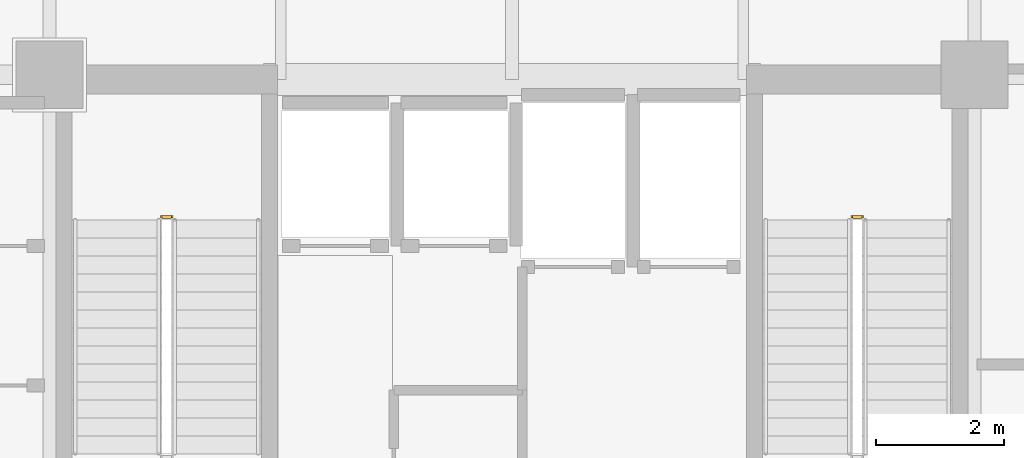
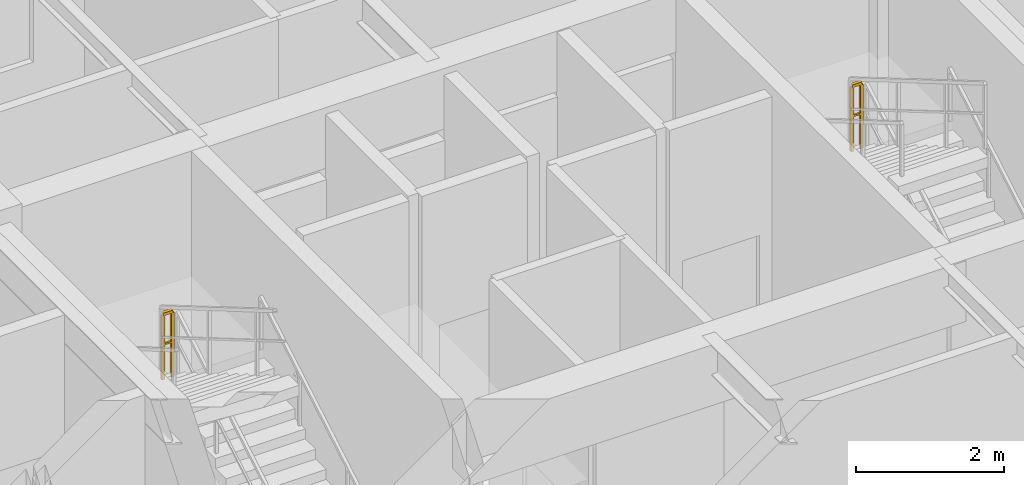
# One storey, part 13 of 14: 2 railings.
"""IFC4 building model written with IfcOpenShell, lengths in metres."""

from ifc_helpers import new_model, si_unit, direction, frame, origin, origin_2d, place, context, subcontext, project, spatial, rectangle, extrude, material, type_object, element, save


model = new_model("IFC4")

# Units and contexts
model_context = context("Model", 3, precision=1e-05, world=origin(), true_north=direction((0.0, 1.0)))
body_context = subcontext(model_context, "Body", "Model", "MODEL_VIEW")
ifc_project = project(units=[si_unit("LENGTHUNIT", "METRE"), si_unit("AREAUNIT", "SQUARE_METRE"), si_unit("VOLUMEUNIT", "CUBIC_METRE"), si_unit("PLANEANGLEUNIT", "RADIAN"), si_unit("MASSUNIT", "GRAM", prefix="KILO")], contexts=[model_context])

# Site, building, storey
site_placement = place(None, origin())
site = spatial("IfcSite", under=ifc_project, at=site_placement, CompositionType="ELEMENT")
building_placement = place(site_placement, origin())
building = spatial("IfcBuilding", under=site, at=building_placement, Name="Kaliganga Portal Commons", CompositionType="ELEMENT")
storey_placement = place(building_placement, frame((0.0, 0.0, 135.60009765625)))
storey = spatial("IfcBuildingStorey", under=building, at=storey_placement, Name="L34", CompositionType="ELEMENT", Elevation=135.60009765625)

# Railings
ifc_material = material(Name="Galvanized Painted Steel Balustrade", Category="steel")
railing_type = type_object("IfcRailingType", Name="RLG-STAIR-GRD", PredefinedType="GUARDRAIL", material=ifc_material)
for number, where, name in (
    (1, (16.300048828125, 33.93994140625, 2.2998046875), "L34 ST-A1 stair guard 2"),
    (2, (27.050048828125, 33.93994140625, 2.2998046875), "L34 ST-A2 stair guard 2"),
):
    element("IfcRailing", number, at=place(storey_placement, frame(where)), inside=storey, type_object=railing_type, Name=name, PredefinedType="GUARDRAIL", context=body_context, shape_type="SweptSolid", body=[
        extrude(rectangle(XDim=0.048095703125, YDim=0.048095703125, at=origin_2d()), frame((0.0, 0.0, 1.076171875), z_axis=(-1.0, 0.0, 0.0), x_axis=(0.0, -1.0, 0.0)), (0.0, 0.0, 1.0), 0.150146484375),
        extrude(rectangle(XDim=0.028076171875, YDim=0.028076171875, at=origin_2d()), frame((0.0, 0.0, 0.572021484375), z_axis=(-1.0, 0.0, 0.0), x_axis=(0.0, -1.0, 0.0)), (0.0, 0.0, 1.0), 0.150146484375),
        extrude(rectangle(XDim=0.0419921875, YDim=0.0419921875, at=origin_2d()), origin(), (0.0, 0.0, 1.0), 1.052001953125),
        extrude(rectangle(XDim=0.0419921875, YDim=0.0419921875, at=origin_2d()), frame((-0.150146484375, 0.0, 0.0)), (0.0, 0.0, 1.0), 1.052001953125),
    ])

save(model, "model.ifc")
